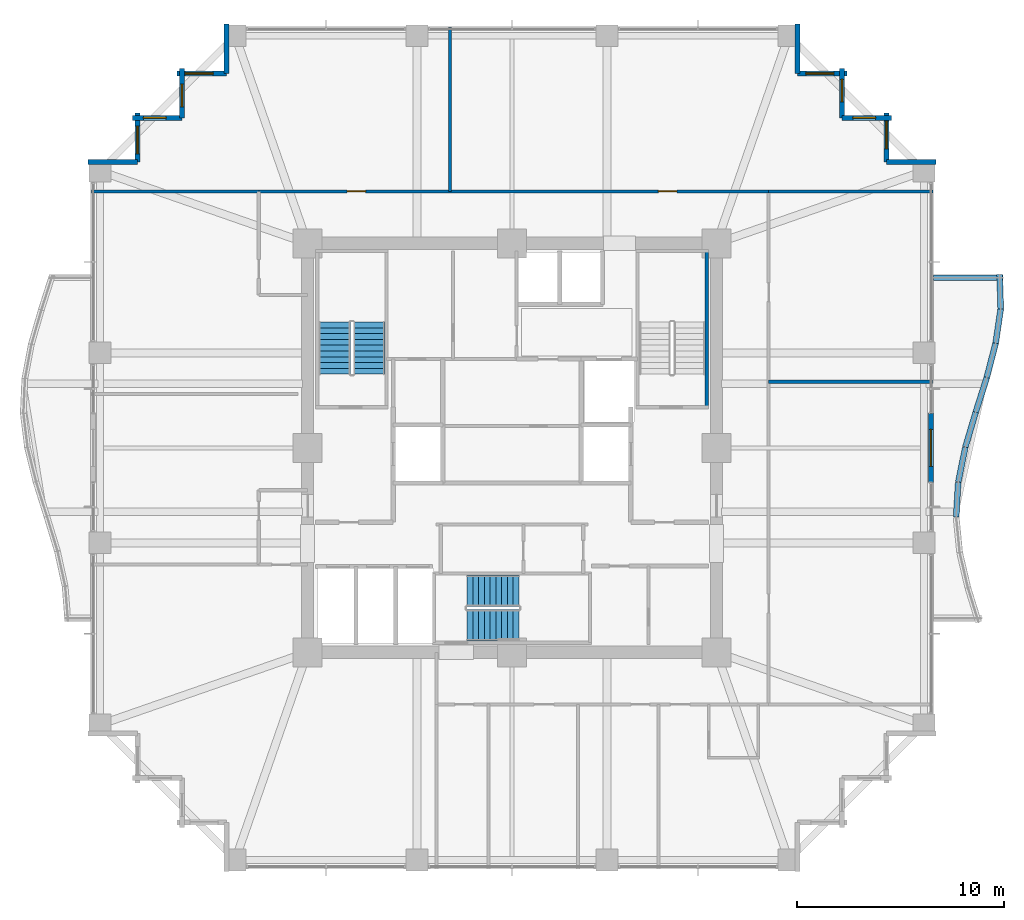
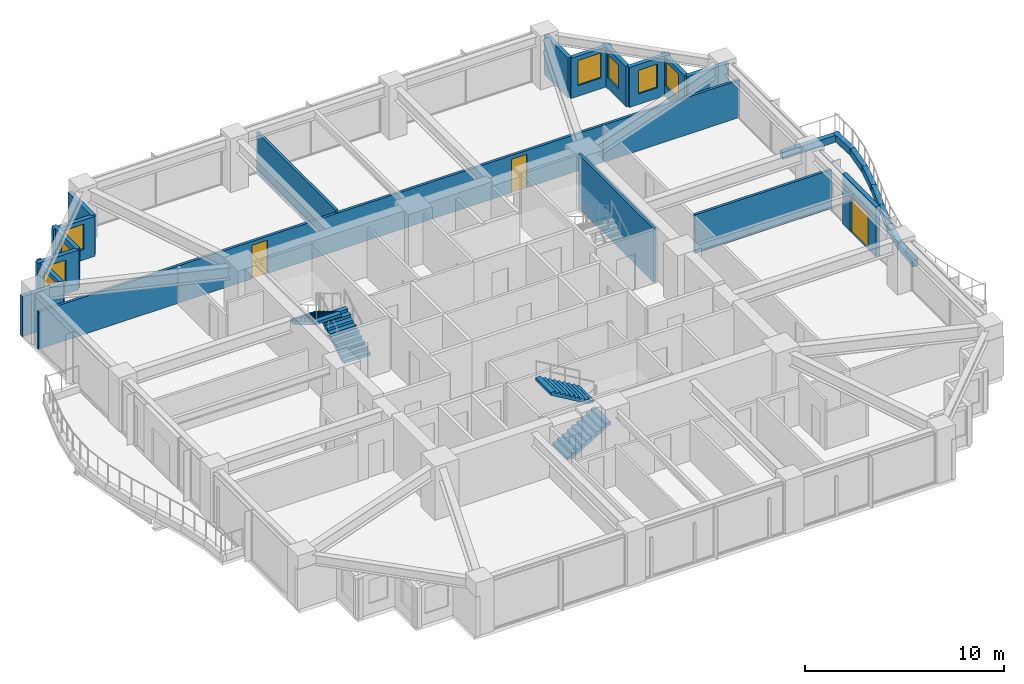
# One storey, part 33 of 36: 27 walls, 8 windows, 4 stair flights, 3 doors, 11 openings, 2 elements without a shape of their own.
"""IFC4 building model written with IfcOpenShell, lengths in metres."""

from ifc_helpers import new_model, si_unit, direction, frame, frame_2d, origin, place, context, subcontext, project, spatial, polyline, rectangle, outline, extrude, material, layer, layer_set, type_object, element, fill, aggregate, save


model = new_model("IFC4")

# Units and contexts
model_context = context("Model", 3, precision=1e-05, world=origin(), true_north=direction((0.0, 1.0)))
body_context = subcontext(model_context, "Body", "Model", "MODEL_VIEW")
ifc_project = project(units=[si_unit("LENGTHUNIT", "METRE"), si_unit("AREAUNIT", "SQUARE_METRE"), si_unit("VOLUMEUNIT", "CUBIC_METRE"), si_unit("PLANEANGLEUNIT", "RADIAN"), si_unit("MASSUNIT", "GRAM", prefix="KILO")], contexts=[model_context])

# Site, building, storey
site_placement = place(None, origin())
site = spatial("IfcSite", under=ifc_project, at=site_placement, CompositionType="ELEMENT")
building_placement = place(site_placement, origin())
building = spatial("IfcBuilding", under=site, at=building_placement, Name="Kolvaren Belvedere", CompositionType="ELEMENT")
storey_placement = place(building_placement, frame((0.0, 0.0, 92.0)))
storey = spatial("IfcBuildingStorey", under=building, at=storey_placement, Name="L26", CompositionType="ELEMENT", Elevation=92.0)

# Wall
ifc_material_1 = material(Name="Concrete C50/60", Category="concrete")
ifc_layer_1 = layer(ifc_material_1, 0.159912109375)
ifc_layer_set_1 = layer_set([ifc_layer_1], Name="Concrete C50/60")
wall_type_1 = type_object("IfcWallType", Name="CW-STAIR-160", PredefinedType="SHEAR", material=ifc_layer_set_1)
wall_1_placement = place(storey_placement, frame((9.429931640625, 1.969970703125, 0.0), z_axis=(0.0, 0.0, 1.0), x_axis=(0.0, 1.0, 0.0)))
element("IfcWall", 1, at=wall_1_placement, inside=storey, type_object=wall_type_1, Name="L26 Stair ST-2 East Shear Wall", PredefinedType="SHEAR", context=body_context, shape_type="SweptSolid", body=[
    extrude(rectangle(XDim=7.56005859375, YDim=0.159912109375, at=frame_2d((3.780029296875, 0.0))), origin(), (0.0, 0.0, 1.0), 3.300048828125),
])

# Wall, openings, doors
ifc_material_2 = material(Name="Gypsum fire-rated partition assembly", Category="gypsum")
ifc_layer_2 = layer(ifc_material_2, 0.14990234375)
ifc_layer_set_2 = layer_set([ifc_layer_2], Name="Gypsum fire-rated partition assembly")
wall_type_2 = type_object("IfcWallType", Name="WL-CORR-150", PredefinedType="PARTITIONING", material=ifc_layer_set_2)
wall_2_placement = place(storey_placement, frame((-12.260009765625, 12.419921875, 0.0), z_axis=(0.0, 0.0, 1.0), x_axis=(1.0, 0.0, 0.0)))
wall_2 = element("IfcWall", 2, at=wall_2_placement, inside=storey, type_object=wall_type_2, Name="L26 North Corridor Wall", PredefinedType="PARTITIONING", context=body_context, shape_type="SweptSolid", body=[
    extrude(rectangle(XDim=24.679931640625, YDim=0.14990234375, at=frame_2d((12.33984375, 0.0))), origin(), (0.0, 0.0, 1.0), 2.2919921875),
])
opening_1_placement = place(wall_2_placement, frame((4.27490234375, 0.0, 0.0)))
opening_1 = element("IfcOpeningElement", 3, at=opening_1_placement, cuts=wall_2, Name="Opening D-INT90", PredefinedType="OPENING", context=body_context, shape_type="SweptSolid", body=[
    extrude(rectangle(XDim=0.89990234375, YDim=2.06005859375, at=frame_2d((0.449951171875, 1.030029296875))), frame((0.0, 0.0849609375, 0.0), z_axis=(0.0, -1.0, 0.0), x_axis=(1.0, 0.0, 0.0)), (0.0, 0.0, 1.0), 0.169921875),
])
opening_2_placement = place(wall_2_placement, frame((19.344970703125, 0.0, 0.0)))
opening_2 = element("IfcOpeningElement", 4, at=opening_2_placement, cuts=wall_2, Name="Opening D-INT90", PredefinedType="OPENING", context=body_context, shape_type="SweptSolid", body=[
    extrude(rectangle(XDim=0.89990234375, YDim=2.06005859375, at=frame_2d((0.449951171875, 1.030029296875))), frame((0.0, 0.0849609375, 0.0), z_axis=(0.0, -1.0, 0.0), x_axis=(1.0, 0.0, 0.0)), (0.0, 0.0, 1.0), 0.169921875),
])
ifc_material_3 = material(Name="Stained Pacific white oak", Category="timber")
door_type_1 = type_object("IfcDoorType", Name="DR-INT-900", OperationType="NOTDEFINED", PredefinedType="DOOR", material=ifc_material_3)
door_1_placement = place(opening_1_placement, origin())
door_1 = element("IfcDoor", 5, at=door_1_placement, inside=storey, type_object=door_type_1, Name="L26 Lounge 2601 Door", OperationType="SINGLE_SWING_RIGHT", OverallHeight=2.06005859375, OverallWidth=0.89990234375, PredefinedType="DOOR", context=body_context, shape_type="SweptSolid", body=[
    extrude(rectangle(XDim=0.89990234375, YDim=2.06005859375, at=frame_2d((0.449951171875, 1.030029296875))), frame((0.0, 0.02490234375, 0.0), z_axis=(0.0, -1.0, 0.0), x_axis=(1.0, 0.0, 0.0)), (0.0, 0.0, 1.0), 0.050048828125),
])
fill(opening_1, door_1)
door_2_placement = place(opening_2_placement, origin())
door_2 = element("IfcDoor", 6, at=door_2_placement, inside=storey, type_object=door_type_1, Name="L26 Lounge 2602 Door", OperationType="SINGLE_SWING_LEFT", OverallHeight=2.06005859375, OverallWidth=0.89990234375, PredefinedType="DOOR", context=body_context, shape_type="SweptSolid", body=[
    extrude(rectangle(XDim=0.89990234375, YDim=2.06005859375, at=frame_2d((0.449951171875, 1.030029296875))), frame((0.0, 0.02490234375, 0.0), z_axis=(0.0, -1.0, 0.0), x_axis=(1.0, 0.0, 0.0)), (0.0, 0.0, 1.0), 0.050048828125),
])
fill(opening_2, door_2)

# Wall, opening, door
ifc_material_4 = material(Name="Insulated pale-metal facade wall assembly", Category="aluminium")
ifc_layer_3 = layer(ifc_material_4, 0.239990234375)
ifc_layer_set_3 = layer_set([ifc_layer_3], Name="Insulated pale-metal facade wall assembly")
wall_type_3 = type_object("IfcWallType", Name="WL-EXT-240", PredefinedType="STANDARD", material=ifc_layer_set_3)
wall_3_placement = place(storey_placement, frame((20.280029296875, 1.679931640625, 0.0), z_axis=(0.0, 0.0, 1.0), x_axis=(0.0, -1.0, 0.0)))
wall_3 = element("IfcWall", 7, at=wall_3_placement, inside=storey, type_object=wall_type_3, Name="L26 East Terrace Portal Wall", PredefinedType="STANDARD", context=body_context, shape_type="SweptSolid", body=[
    extrude(rectangle(XDim=3.35986328125, YDim=0.239990234375, at=frame_2d((1.679931640625, 0.0))), origin(), (0.0, 0.0, 1.0), 3.080078125),
])
opening_3_placement = place(wall_3_placement, frame((0.780029296875, 0.0, 0.0)))
opening_3 = element("IfcOpeningElement", 8, at=opening_3_placement, cuts=wall_3, Name="Opening DB-1800", PredefinedType="OPENING", context=body_context, shape_type="SweptSolid", body=[
    extrude(rectangle(XDim=1.800048828125, YDim=2.199951171875, at=frame_2d((0.89990234375, 1.10009765625))), frame((0.0, 0.1298828125, 0.0), z_axis=(0.0, -1.0, 0.0), x_axis=(1.0, 0.0, 0.0)), (0.0, 0.0, 1.0), 0.260009765625),
])
ifc_material_5 = material(Name="Thermally broken pale-metal aluminium & low-iron glass", Category="aluminium")
door_type_2 = type_object("IfcDoorType", Name="DR-BAL-1800", OperationType="DOUBLE_DOOR_SLIDING", PredefinedType="DOOR", material=ifc_material_5)
door_3_placement = place(opening_3_placement, origin())
door_3 = element("IfcDoor", 9, at=door_3_placement, inside=storey, type_object=door_type_2, Name="L26 East Planted Terrace Sliding Door", OperationType="DOUBLE_DOOR_SLIDING", OverallHeight=2.199951171875, OverallWidth=1.800048828125, PredefinedType="DOOR", context=body_context, shape_type="SweptSolid", body=[
    extrude(rectangle(XDim=1.800048828125, YDim=2.199951171875, at=frame_2d((0.89990234375, 1.10009765625))), frame((0.0, 0.02490234375, 0.0), z_axis=(0.0, -1.0, 0.0), x_axis=(1.0, 0.0, 0.0)), (0.0, 0.0, 1.0), 0.050048828125),
])
fill(opening_3, door_3)

# Wall
wall_4_placement = place(storey_placement, frame((18.1298828125, 13.830078125, 0.0), z_axis=(0.0, 0.0, 1.0), x_axis=(1.0, 0.0, 0.0)))
element("IfcWall", 10, at=wall_4_placement, inside=storey, type_object=wall_type_3, Name="L26 Serrated Corner Facade Wall 9", PredefinedType="STANDARD", context=body_context, shape_type="SweptSolid", body=[
    extrude(rectangle(XDim=2.39013671875, YDim=0.239990234375, at=frame_2d((1.195068359375, 0.0))), origin(), (0.0, 0.0, 1.0), 2.458984375),
])

# Wall, opening, window
wall_5_placement = place(storey_placement, frame((18.1298828125, 16.219970703125, 0.0), z_axis=(0.0, 0.0, 1.0), x_axis=(0.0, -1.0, 0.0)))
wall_5 = element("IfcWall", 11, at=wall_5_placement, inside=storey, type_object=wall_type_3, Name="L26 Serrated Corner Facade Wall 10", PredefinedType="STANDARD", context=body_context, shape_type="SweptSolid", body=[
    extrude(rectangle(XDim=2.389892578125, YDim=0.239990234375, at=frame_2d((1.19482421875, 0.0))), origin(), (0.0, 0.0, 1.0), 2.458984375),
])
opening_4_placement = place(wall_5_placement, frame((0.39990234375, 0.0, 0.64990234375)))
opening_4 = element("IfcOpeningElement", 12, at=opening_4_placement, cuts=wall_5, Name="Opening W-1350", PredefinedType="OPENING", context=body_context, shape_type="SweptSolid", body=[
    extrude(rectangle(XDim=1.35009765625, YDim=1.550048828125, at=frame_2d((0.675048828125, 0.77490234375))), frame((0.0, 0.1298828125, 0.0), z_axis=(0.0, -1.0, 0.0), x_axis=(1.0, 0.0, 0.0)), (0.0, 0.0, 1.0), 0.260009765625),
])
ifc_material_6 = material(Name="Low-iron triple insulated glass", Category="glass")
window_type_1 = type_object("IfcWindowType", Name="WN-CORN-1350", PartitioningType="SINGLE_PANEL", PredefinedType="WINDOW", material=ifc_material_6)
window_1_placement = place(opening_4_placement, origin())
window_1 = element("IfcWindow", 13, at=window_1_placement, inside=storey, type_object=window_type_1, Name="L26 Serrated Corner Vision Window 10", OverallHeight=1.550048828125, OverallWidth=1.35009765625, PartitioningType="SINGLE_PANEL", PredefinedType="WINDOW", context=body_context, shape_type="SweptSolid", body=[
    extrude(rectangle(XDim=1.35009765625, YDim=1.550048828125, at=frame_2d((0.675048828125, 0.77490234375))), frame((0.0, 0.030029296875, 0.0), z_axis=(0.0, -1.0, 0.0), x_axis=(1.0, 0.0, 0.0)), (0.0, 0.0, 1.0), 0.06005859375),
])
fill(opening_4, window_1)

wall_6_placement = place(storey_placement, frame((15.97998046875, 15.97998046875, 0.0), z_axis=(0.0, 0.0, 1.0), x_axis=(1.0, 0.0, 0.0)))
wall_6 = element("IfcWall", 14, at=wall_6_placement, inside=storey, type_object=wall_type_3, Name="L26 Serrated Corner Facade Wall 11", PredefinedType="STANDARD", context=body_context, shape_type="SweptSolid", body=[
    extrude(rectangle(XDim=2.39013671875, YDim=0.239990234375, at=frame_2d((1.195068359375, 0.0))), origin(), (0.0, 0.0, 1.0), 2.458984375),
])
opening_5_placement = place(wall_6_placement, frame((0.52490234375, 0.0, 0.64990234375)))
opening_5 = element("IfcOpeningElement", 15, at=opening_5_placement, cuts=wall_6, Name="Opening W-1100", PredefinedType="OPENING", context=body_context, shape_type="SweptSolid", body=[
    extrude(rectangle(XDim=1.10009765625, YDim=1.449951171875, at=frame_2d((0.550048828125, 0.72509765625))), frame((0.0, 0.1298828125, 0.0), z_axis=(0.0, -1.0, 0.0), x_axis=(1.0, 0.0, 0.0)), (0.0, 0.0, 1.0), 0.260009765625),
])
ifc_material_7 = material(Name="Low-iron triple insulated glass", Category="glass")
window_type_2 = type_object("IfcWindowType", Name="WN-CORN-1100", PartitioningType="SINGLE_PANEL", PredefinedType="WINDOW", material=ifc_material_7)
window_2_placement = place(opening_5_placement, origin())
window_2 = element("IfcWindow", 16, at=window_2_placement, inside=storey, type_object=window_type_2, Name="L26 Serrated Corner Vision Window 11", OverallHeight=1.449951171875, OverallWidth=1.10009765625, PartitioningType="SINGLE_PANEL", PredefinedType="WINDOW", context=body_context, shape_type="SweptSolid", body=[
    extrude(rectangle(XDim=1.10009765625, YDim=1.449951171875, at=frame_2d((0.550048828125, 0.72509765625))), frame((0.0, 0.030029296875, 0.0), z_axis=(0.0, -1.0, 0.0), x_axis=(1.0, 0.0, 0.0)), (0.0, 0.0, 1.0), 0.06005859375),
])
fill(opening_5, window_2)

wall_7_placement = place(storey_placement, frame((15.97998046875, 18.3701171875, 0.0), z_axis=(0.0, 0.0, 1.0), x_axis=(0.0, -1.0, 0.0)))
wall_7 = element("IfcWall", 17, at=wall_7_placement, inside=storey, type_object=wall_type_3, Name="L26 Serrated Corner Facade Wall 12", PredefinedType="STANDARD", context=body_context, shape_type="SweptSolid", body=[
    extrude(rectangle(XDim=2.39013671875, YDim=0.239990234375, at=frame_2d((1.195068359375, 0.0))), origin(), (0.0, 0.0, 1.0), 2.458984375),
])
opening_6_placement = place(wall_7_placement, frame((0.52490234375, 0.0, 0.64990234375)))
opening_6 = element("IfcOpeningElement", 18, at=opening_6_placement, cuts=wall_7, Name="Opening W-1100", PredefinedType="OPENING", context=body_context, shape_type="SweptSolid", body=[
    extrude(rectangle(XDim=1.10009765625, YDim=1.449951171875, at=frame_2d((0.550048828125, 0.72509765625))), frame((0.0, 0.1298828125, 0.0), z_axis=(0.0, -1.0, 0.0), x_axis=(1.0, 0.0, 0.0)), (0.0, 0.0, 1.0), 0.260009765625),
])
window_3_placement = place(opening_6_placement, origin())
window_3 = element("IfcWindow", 19, at=window_3_placement, inside=storey, type_object=window_type_2, Name="L26 Serrated Corner Vision Window 12", OverallHeight=1.449951171875, OverallWidth=1.10009765625, PartitioningType="SINGLE_PANEL", PredefinedType="WINDOW", context=body_context, shape_type="SweptSolid", body=[
    extrude(rectangle(XDim=1.10009765625, YDim=1.449951171875, at=frame_2d((0.550048828125, 0.72509765625))), frame((0.0, 0.030029296875, 0.0), z_axis=(0.0, -1.0, 0.0), x_axis=(1.0, 0.0, 0.0)), (0.0, 0.0, 1.0), 0.06005859375),
])
fill(opening_6, window_3)

wall_8_placement = place(storey_placement, frame((13.830078125, 18.1298828125, 0.0), z_axis=(0.0, 0.0, 1.0), x_axis=(1.0, 0.0, 0.0)))
wall_8 = element("IfcWall", 20, at=wall_8_placement, inside=storey, type_object=wall_type_3, Name="L26 Serrated Corner Facade Wall 13", PredefinedType="STANDARD", context=body_context, shape_type="SweptSolid", body=[
    extrude(rectangle(XDim=2.389892578125, YDim=0.239990234375, at=frame_2d((1.19482421875, 0.0))), origin(), (0.0, 0.0, 1.0), 2.458984375),
])
opening_7_placement = place(wall_8_placement, frame((0.39990234375, 0.0, 0.64990234375)))
opening_7 = element("IfcOpeningElement", 21, at=opening_7_placement, cuts=wall_8, Name="Opening W-1350", PredefinedType="OPENING", context=body_context, shape_type="SweptSolid", body=[
    extrude(rectangle(XDim=1.35009765625, YDim=1.550048828125, at=frame_2d((0.675048828125, 0.77490234375))), frame((0.0, 0.1298828125, 0.0), z_axis=(0.0, -1.0, 0.0), x_axis=(1.0, 0.0, 0.0)), (0.0, 0.0, 1.0), 0.260009765625),
])
window_4_placement = place(opening_7_placement, origin())
window_4 = element("IfcWindow", 22, at=window_4_placement, inside=storey, type_object=window_type_1, Name="L26 Serrated Corner Vision Window 13", OverallHeight=1.550048828125, OverallWidth=1.35009765625, PartitioningType="SINGLE_PANEL", PredefinedType="WINDOW", context=body_context, shape_type="SweptSolid", body=[
    extrude(rectangle(XDim=1.35009765625, YDim=1.550048828125, at=frame_2d((0.675048828125, 0.77490234375))), frame((0.0, 0.030029296875, 0.0), z_axis=(0.0, -1.0, 0.0), x_axis=(1.0, 0.0, 0.0)), (0.0, 0.0, 1.0), 0.06005859375),
])
fill(opening_7, window_4)

# Walls
for number, where, z_axis, x_axis, name in (
    (23, (13.830078125, 20.52001953125, 0.0), (0.0, 0.0, 1.0), (0.0, -1.0, 0.0), "L26 Serrated Corner Facade Wall 14"),
    (24, (-13.830078125, 18.1298828125, 0.0), (0.0, 0.0, 1.0), (0.0, 1.0, 0.0), "L26 Serrated Corner Facade Wall 16"),
):
    element("IfcWall", number, at=place(storey_placement, frame(where, z_axis=z_axis, x_axis=x_axis)), inside=storey, type_object=wall_type_3, Name=name, PredefinedType="STANDARD", context=body_context, shape_type="SweptSolid", body=[
        extrude(rectangle(XDim=2.39013671875, YDim=0.239990234375, at=frame_2d((1.195068359375, 0.0))), origin(), (0.0, 0.0, 1.0), 2.458984375),
    ])

# Wall, opening, window
wall_9_placement = place(storey_placement, frame((-16.219970703125, 18.1298828125, 0.0), z_axis=(0.0, 0.0, 1.0), x_axis=(1.0, 0.0, 0.0)))
wall_9 = element("IfcWall", 25, at=wall_9_placement, inside=storey, type_object=wall_type_3, Name="L26 Serrated Corner Facade Wall 17", PredefinedType="STANDARD", context=body_context, shape_type="SweptSolid", body=[
    extrude(rectangle(XDim=2.389892578125, YDim=0.239990234375, at=frame_2d((1.19482421875, 0.0))), origin(), (0.0, 0.0, 1.0), 2.458984375),
])
opening_8_placement = place(wall_9_placement, frame((0.39990234375, 0.0, 0.64990234375)))
opening_8 = element("IfcOpeningElement", 26, at=opening_8_placement, cuts=wall_9, Name="Opening W-1350", PredefinedType="OPENING", context=body_context, shape_type="SweptSolid", body=[
    extrude(rectangle(XDim=1.35009765625, YDim=1.550048828125, at=frame_2d((0.675048828125, 0.77490234375))), frame((0.0, 0.1298828125, 0.0), z_axis=(0.0, -1.0, 0.0), x_axis=(1.0, 0.0, 0.0)), (0.0, 0.0, 1.0), 0.260009765625),
])
window_5_placement = place(opening_8_placement, origin())
window_5 = element("IfcWindow", 27, at=window_5_placement, inside=storey, type_object=window_type_1, Name="L26 Serrated Corner Vision Window 17", OverallHeight=1.550048828125, OverallWidth=1.35009765625, PartitioningType="SINGLE_PANEL", PredefinedType="WINDOW", context=body_context, shape_type="SweptSolid", body=[
    extrude(rectangle(XDim=1.35009765625, YDim=1.550048828125, at=frame_2d((0.675048828125, 0.77490234375))), frame((0.0, 0.030029296875, 0.0), z_axis=(0.0, -1.0, 0.0), x_axis=(1.0, 0.0, 0.0)), (0.0, 0.0, 1.0), 0.06005859375),
])
fill(opening_8, window_5)

wall_10_placement = place(storey_placement, frame((-15.97998046875, 15.97998046875, 0.0), z_axis=(0.0, 0.0, 1.0), x_axis=(0.0, 1.0, 0.0)))
wall_10 = element("IfcWall", 28, at=wall_10_placement, inside=storey, type_object=wall_type_3, Name="L26 Serrated Corner Facade Wall 18", PredefinedType="STANDARD", context=body_context, shape_type="SweptSolid", body=[
    extrude(rectangle(XDim=2.39013671875, YDim=0.239990234375, at=frame_2d((1.195068359375, 0.0))), origin(), (0.0, 0.0, 1.0), 2.458984375),
])
opening_9_placement = place(wall_10_placement, frame((0.52490234375, 0.0, 0.64990234375)))
opening_9 = element("IfcOpeningElement", 29, at=opening_9_placement, cuts=wall_10, Name="Opening W-1100", PredefinedType="OPENING", context=body_context, shape_type="SweptSolid", body=[
    extrude(rectangle(XDim=1.10009765625, YDim=1.449951171875, at=frame_2d((0.550048828125, 0.72509765625))), frame((0.0, 0.1298828125, 0.0), z_axis=(0.0, -1.0, 0.0), x_axis=(1.0, 0.0, 0.0)), (0.0, 0.0, 1.0), 0.260009765625),
])
window_6_placement = place(opening_9_placement, origin())
window_6 = element("IfcWindow", 30, at=window_6_placement, inside=storey, type_object=window_type_2, Name="L26 Serrated Corner Vision Window 18", OverallHeight=1.449951171875, OverallWidth=1.10009765625, PartitioningType="SINGLE_PANEL", PredefinedType="WINDOW", context=body_context, shape_type="SweptSolid", body=[
    extrude(rectangle(XDim=1.10009765625, YDim=1.449951171875, at=frame_2d((0.550048828125, 0.72509765625))), frame((0.0, 0.030029296875, 0.0), z_axis=(0.0, -1.0, 0.0), x_axis=(1.0, 0.0, 0.0)), (0.0, 0.0, 1.0), 0.06005859375),
])
fill(opening_9, window_6)

wall_11_placement = place(storey_placement, frame((-18.3701171875, 15.97998046875, 0.0), z_axis=(0.0, 0.0, 1.0), x_axis=(1.0, 0.0, 0.0)))
wall_11 = element("IfcWall", 31, at=wall_11_placement, inside=storey, type_object=wall_type_3, Name="L26 Serrated Corner Facade Wall 19", PredefinedType="STANDARD", context=body_context, shape_type="SweptSolid", body=[
    extrude(rectangle(XDim=2.39013671875, YDim=0.239990234375, at=frame_2d((1.195068359375, 0.0))), origin(), (0.0, 0.0, 1.0), 2.458984375),
])
opening_10_placement = place(wall_11_placement, frame((0.52490234375, 0.0, 0.64990234375)))
opening_10 = element("IfcOpeningElement", 32, at=opening_10_placement, cuts=wall_11, Name="Opening W-1100", PredefinedType="OPENING", context=body_context, shape_type="SweptSolid", body=[
    extrude(rectangle(XDim=1.10009765625, YDim=1.449951171875, at=frame_2d((0.550048828125, 0.72509765625))), frame((0.0, 0.1298828125, 0.0), z_axis=(0.0, -1.0, 0.0), x_axis=(1.0, 0.0, 0.0)), (0.0, 0.0, 1.0), 0.260009765625),
])
window_7_placement = place(opening_10_placement, origin())
window_7 = element("IfcWindow", 33, at=window_7_placement, inside=storey, type_object=window_type_2, Name="L26 Serrated Corner Vision Window 19", OverallHeight=1.449951171875, OverallWidth=1.10009765625, PartitioningType="SINGLE_PANEL", PredefinedType="WINDOW", context=body_context, shape_type="SweptSolid", body=[
    extrude(rectangle(XDim=1.10009765625, YDim=1.449951171875, at=frame_2d((0.550048828125, 0.72509765625))), frame((0.0, 0.030029296875, 0.0), z_axis=(0.0, -1.0, 0.0), x_axis=(1.0, 0.0, 0.0)), (0.0, 0.0, 1.0), 0.06005859375),
])
fill(opening_10, window_7)

wall_12_placement = place(storey_placement, frame((-18.1298828125, 13.830078125, 0.0), z_axis=(0.0, 0.0, 1.0), x_axis=(0.0, 1.0, 0.0)))
wall_12 = element("IfcWall", 34, at=wall_12_placement, inside=storey, type_object=wall_type_3, Name="L26 Serrated Corner Facade Wall 20", PredefinedType="STANDARD", context=body_context, shape_type="SweptSolid", body=[
    extrude(rectangle(XDim=2.389892578125, YDim=0.239990234375, at=frame_2d((1.19482421875, 0.0))), origin(), (0.0, 0.0, 1.0), 2.458984375),
])
opening_11_placement = place(wall_12_placement, frame((0.39990234375, 0.0, 0.64990234375)))
opening_11 = element("IfcOpeningElement", 35, at=opening_11_placement, cuts=wall_12, Name="Opening W-1350", PredefinedType="OPENING", context=body_context, shape_type="SweptSolid", body=[
    extrude(rectangle(XDim=1.35009765625, YDim=1.550048828125, at=frame_2d((0.675048828125, 0.77490234375))), frame((0.0, 0.1298828125, 0.0), z_axis=(0.0, -1.0, 0.0), x_axis=(1.0, 0.0, 0.0)), (0.0, 0.0, 1.0), 0.260009765625),
])
window_8_placement = place(opening_11_placement, origin())
window_8 = element("IfcWindow", 36, at=window_8_placement, inside=storey, type_object=window_type_1, Name="L26 Serrated Corner Vision Window 20", OverallHeight=1.550048828125, OverallWidth=1.35009765625, PartitioningType="SINGLE_PANEL", PredefinedType="WINDOW", context=body_context, shape_type="SweptSolid", body=[
    extrude(rectangle(XDim=1.35009765625, YDim=1.550048828125, at=frame_2d((0.675048828125, 0.77490234375))), frame((0.0, 0.030029296875, 0.0), z_axis=(0.0, -1.0, 0.0), x_axis=(1.0, 0.0, 0.0)), (0.0, 0.0, 1.0), 0.06005859375),
])
fill(opening_11, window_8)

# Walls
wall_13_placement = place(storey_placement, frame((-20.52001953125, 13.830078125, 0.0), z_axis=(0.0, 0.0, 1.0), x_axis=(1.0, 0.0, 0.0)))
element("IfcWall", 37, at=wall_13_placement, inside=storey, type_object=wall_type_3, Name="L26 Serrated Corner Facade Wall 21", PredefinedType="STANDARD", context=body_context, shape_type="SweptSolid", body=[
    extrude(rectangle(XDim=2.39013671875, YDim=0.239990234375, at=frame_2d((1.195068359375, 0.0))), origin(), (0.0, 0.0, 1.0), 2.458984375),
])
ifc_material_8 = material(Name="Gypsum acoustic partition assembly", Category="gypsum")
ifc_layer_4 = layer(ifc_material_8, 0.14990234375)
ifc_layer_set_4 = layer_set([ifc_layer_4], Name="Gypsum acoustic partition assembly")
wall_type_4 = type_object("IfcWallType", Name="WL-PART-150", PredefinedType="PARTITIONING", material=ifc_layer_set_4)
wall_14_placement = place(storey_placement, frame((-20.3798828125, 12.419921875, 0.0), z_axis=(0.0, 0.0, 1.0), x_axis=(1.0, 0.0, 0.0)))
element("IfcWall", 38, at=wall_14_placement, inside=storey, type_object=wall_type_4, Name="L26 Wing Divider PW-L26-QNW", PredefinedType="PARTITIONING", context=body_context, shape_type="SweptSolid", body=[
    extrude(rectangle(XDim=8.119873046875, YDim=0.14990234375, at=frame_2d((4.06005859375, 0.0))), origin(), (0.0, 0.0, 1.0), 2.2919921875),
])
wall_15_placement = place(storey_placement, frame((12.419921875, 12.419921875, 0.0), z_axis=(0.0, 0.0, 1.0), x_axis=(1.0, 0.0, 0.0)))
element("IfcWall", 39, at=wall_15_placement, inside=storey, type_object=wall_type_4, Name="L26 Wing Divider PW-L26-QNE", PredefinedType="PARTITIONING", context=body_context, shape_type="SweptSolid", body=[
    extrude(rectangle(XDim=7.9599609375, YDim=0.14990234375, at=frame_2d((3.97998046875, 0.0))), origin(), (0.0, 0.0, 1.0), 2.2919921875),
])
wall_16_placement = place(storey_placement, frame((-3.0, 12.419921875, 0.0), z_axis=(0.0, 0.0, 1.0), x_axis=(0.0, 1.0, 0.0)))
element("IfcWall", 40, at=wall_16_placement, inside=storey, type_object=wall_type_4, Name="L26 North Suite Demising Wall 1", PredefinedType="PARTITIONING", context=body_context, shape_type="SweptSolid", body=[
    extrude(rectangle(XDim=7.9599609375, YDim=0.14990234375, at=frame_2d((3.97998046875, 0.0))), origin(), (0.0, 0.0, 1.0), 2.448974609375),
])
wall_17_placement = place(storey_placement, frame((12.419921875, 3.199951171875, 0.0), z_axis=(0.0, 0.0, 1.0), x_axis=(1.0, 0.0, 0.0)))
element("IfcWall", 41, at=wall_17_placement, inside=storey, type_object=wall_type_4, Name="L26 East Suite Demising Wall 1", PredefinedType="PARTITIONING", context=body_context, shape_type="SweptSolid", body=[
    extrude(rectangle(XDim=7.9599609375, YDim=0.14990234375, at=frame_2d((3.97998046875, 0.0))), origin(), (0.0, 0.0, 1.0), 2.368896484375),
])
ifc_material_9 = material(Name="Precast concrete C40/50", Category="concrete")
ifc_layer_5 = layer(ifc_material_9, 0.300048828125)
ifc_layer_set_5 = layer_set([ifc_layer_5], Name="Precast concrete C40/50")
wall_type_5 = type_object("IfcWallType", Name="WL-PLANTER-300", PredefinedType="PARAPET", material=ifc_layer_set_5)
wall_18_placement = place(storey_placement, frame((21.50244140625, -3.350341796875, -0.0400390625), z_axis=(0.0, 0.0, 1.0), x_axis=(0.059767979379, 0.998212296378, 0.0)))
element("IfcWall", 42, at=wall_18_placement, inside=storey, type_object=wall_type_5, Name="L26 Precast Structural Planter Wall BAL-E-4", PredefinedType="PARAPET", context=body_context, shape_type="SweptSolid", body=[
    extrude(rectangle(XDim=1.682861328125, YDim=0.280029296875, at=frame_2d((0.84130859375, 0.0))), origin(), (0.0, 0.0, 1.0), 0.419921875),
])
wall_19_placement = place(storey_placement, frame((21.60595703125, -1.64794921875, -0.0400390625), z_axis=(0.0, 0.0, 1.0), x_axis=(0.199784246163, 0.979839912937, 0.0)))
element("IfcWall", 43, at=wall_19_placement, inside=storey, type_object=wall_type_5, Name="L26 Precast Structural Planter Wall BAL-E-5", PredefinedType="PARAPET", context=body_context, shape_type="SweptSolid", body=[
    extrude(rectangle(XDim=1.714599609375, YDim=0.280029296875, at=frame_2d((0.857421875, 0.0))), origin(), (0.0, 0.0, 1.0), 0.419921875),
])
wall_20_placement = place(storey_placement, frame((21.951904296875, 0.045654296875, -0.0400390625), z_axis=(0.0, 0.0, 1.0), x_axis=(0.284880325779, 0.95856309129, 0.0)))
element("IfcWall", 44, at=wall_20_placement, inside=storey, type_object=wall_type_5, Name="L26 Precast Structural Planter Wall BAL-E-6", PredefinedType="PARAPET", context=body_context, shape_type="SweptSolid", body=[
    extrude(rectangle(XDim=1.75244140625, YDim=0.280029296875, at=frame_2d((0.876220703125, 0.0))), origin(), (0.0, 0.0, 1.0), 0.419921875),
])
wall_21_placement = place(storey_placement, frame((22.4521484375, 1.728515625, -0.0400390625), z_axis=(0.0, 0.0, 1.0), x_axis=(0.302397356111, 0.953181954832, 0.0)))
element("IfcWall", 45, at=wall_21_placement, inside=storey, type_object=wall_type_5, Name="L26 Precast Structural Planter Wall BAL-E-7", PredefinedType="PARAPET", context=body_context, shape_type="SweptSolid", body=[
    extrude(rectangle(XDim=1.762451171875, YDim=0.280029296875, at=frame_2d((0.88134765625, 0.0))), origin(), (0.0, 0.0, 1.0), 0.419921875),
])
wall_22_placement = place(storey_placement, frame((22.982666015625, 3.400146484375, -0.0400390625), z_axis=(0.0, 0.0, 1.0), x_axis=(0.250439664624, 0.968132209145, 0.0)))
element("IfcWall", 46, at=wall_22_placement, inside=storey, type_object=wall_type_5, Name="L26 Precast Structural Planter Wall BAL-E-8", PredefinedType="PARAPET", context=body_context, shape_type="SweptSolid", body=[
    extrude(rectangle(XDim=1.7353515625, YDim=0.280029296875, at=frame_2d((0.86767578125, 0.0))), origin(), (0.0, 0.0, 1.0), 0.419921875),
])
wall_23_placement = place(storey_placement, frame((23.413818359375, 5.063232421875, -0.0400390625), z_axis=(0.0, 0.0, 1.0), x_axis=(0.145907826437, 0.98929818871, 0.0)))
element("IfcWall", 47, at=wall_23_placement, inside=storey, type_object=wall_type_5, Name="L26 Precast Structural Planter Wall BAL-E-9", PredefinedType="PARAPET", context=body_context, shape_type="SweptSolid", body=[
    extrude(rectangle(XDim=1.6982421875, YDim=0.280029296875, at=frame_2d((0.84912109375, 0.0))), origin(), (0.0, 0.0, 1.0), 0.419921875),
])
wall_24_placement = place(storey_placement, frame((23.66015625, 6.715087890625, -0.0400390625), z_axis=(0.0, 0.0, 1.0), x_axis=(-0.031520443874, 0.999503107358, 0.0)))
element("IfcWall", 48, at=wall_24_placement, inside=storey, type_object=wall_type_5, Name="L26 Precast Structural Planter Wall BAL-E-10", PredefinedType="PARAPET", context=body_context, shape_type="SweptSolid", body=[
    extrude(rectangle(XDim=1.6806640625, YDim=0.280029296875, at=frame_2d((0.84033203125, 0.0))), origin(), (0.0, 0.0, 1.0), 0.419921875),
])
wall_25_placement = place(storey_placement, frame((23.76708984375, 8.239990234375, -0.0400390625), z_axis=(0.0, 0.0, 1.0), x_axis=(-1.0, 0.0, 0.0)))
element("IfcWall", 49, at=wall_25_placement, inside=storey, type_object=wall_type_5, Name="L26 Precast Structural Planter Wall BAL-E-11", PredefinedType="PARAPET", context=body_context, shape_type="SweptSolid", body=[
    extrude(rectangle(XDim=3.3671875, YDim=0.280029296875, at=frame_2d((1.68359375, 0.0))), origin(), (0.0, 0.0, 1.0), 0.419921875),
])

# Stair, stair flights
ifc_material_10 = material(Name="Concrete C50/60", Category="concrete")
stair_type = type_object("IfcStairType", Name="ST-CORE-1520", PredefinedType="HALF_TURN_STAIR", material=ifc_material_10)
stair_1_placement = place(storey_placement, origin())
stair_1 = element("IfcStair", 50, at=stair_1_placement, inside=storey, type_object=stair_type, Name="L26 Protected Exit Stair ST-1", PredefinedType="HALF_TURN_STAIR")
ifc_material_11 = material(Name="Concrete C50/60", Category="concrete")
stair_flight_type = type_object("IfcStairFlightType", Name="SF-STR-1520", PredefinedType="STRAIGHT", material=ifc_material_11)
stair_flight_1_placement = place(storey_placement, frame((-6.919921875, 3.570068359375, 0.0), z_axis=(0.0, 0.0, 1.0), x_axis=(0.0, 1.0, 0.0)))
stair_flight_1 = element("IfcStairFlight", 51, at=stair_flight_1_placement, type_object=stair_flight_type, Name="ST-1 flight 1", NumberOfRisers=10, NumberOfTreads=9, PredefinedType="STRAIGHT", RiserHeight=0.165, TreadLength=0.28, context=body_context, shape_type="SweptSolid", body=[
    extrude(outline(polyline([(0.0, 0.0), (0.0, 0.1650390625), (0.280029296875, 0.1650390625), (0.280029296875, 0.330078125), (0.56005859375, 0.330078125), (0.56005859375, 0.4951171875), (0.840087890625, 0.4951171875), (0.840087890625, 0.659912109375), (1.1201171875, 0.659912109375), (1.1201171875, 0.824951171875), (1.39990234375, 0.824951171875), (1.39990234375, 0.989990234375), (1.679931640625, 0.989990234375), (1.679931640625, 1.155029296875), (1.9599609375, 1.155029296875), (1.9599609375, 1.320068359375), (2.239990234375, 1.320068359375), (2.239990234375, 1.485107421875), (2.52001953125, 1.485107421875), (2.52001953125, 1.64990234375), (2.52001953125, 1.31103515625), (0.295166015625, 0.0), (0.0, 0.0)])), frame((0.0, 0.760009765625, 0.0), z_axis=(0.0, -1.0, 0.0), x_axis=(1.0, 0.0, 0.0)), (0.0, 0.0, 1.0), 1.52001953125),
])
stair_flight_2_placement = place(storey_placement, frame((-8.590087890625, 6.090087890625, 1.64990234375), z_axis=(0.0, 0.0, 1.0), x_axis=(0.0, -1.0, 0.0)))
stair_flight_2 = element("IfcStairFlight", 52, at=stair_flight_2_placement, type_object=stair_flight_type, Name="ST-1 flight 2", NumberOfRisers=10, NumberOfTreads=9, PredefinedType="STRAIGHT", RiserHeight=0.165, TreadLength=0.28, context=body_context, shape_type="SweptSolid", body=[
    extrude(outline(polyline([(0.0, 0.0), (0.0, 0.1650390625), (0.280029296875, 0.1650390625), (0.280029296875, 0.330078125), (0.56005859375, 0.330078125), (0.56005859375, 0.4951171875), (0.840087890625, 0.4951171875), (0.840087890625, 0.659912109375), (1.1201171875, 0.659912109375), (1.1201171875, 0.824951171875), (1.39990234375, 0.824951171875), (1.39990234375, 0.989990234375), (1.679931640625, 0.989990234375), (1.679931640625, 1.155029296875), (1.9599609375, 1.155029296875), (1.9599609375, 1.320068359375), (2.239990234375, 1.320068359375), (2.239990234375, 1.485107421875), (2.52001953125, 1.485107421875), (2.52001953125, 1.64990234375), (2.52001953125, 1.31103515625), (0.295166015625, 0.0), (0.0, 0.0)])), frame((0.0, 0.760009765625, 0.0), z_axis=(0.0, -1.0, 0.0), x_axis=(1.0, 0.0, 0.0)), (0.0, 0.0, 1.0), 1.52001953125),
])
aggregate(stair_1, [stair_flight_1, stair_flight_2])

stair_2_placement = place(storey_placement, origin())
stair_2 = element("IfcStair", 53, at=stair_2_placement, inside=storey, type_object=stair_type, Name="L26 Protected Exit Stair ST-3", PredefinedType="HALF_TURN_STAIR")
stair_flight_3_placement = place(storey_placement, frame((-2.179931640625, -8.590087890625, 0.0), z_axis=(0.0, 0.0, 1.0), x_axis=(1.0, 0.0, 0.0)))
stair_flight_3 = element("IfcStairFlight", 54, at=stair_flight_3_placement, type_object=stair_flight_type, Name="ST-3 flight 1", NumberOfRisers=10, NumberOfTreads=9, PredefinedType="STRAIGHT", RiserHeight=0.165, TreadLength=0.28, context=body_context, shape_type="SweptSolid", body=[
    extrude(outline(polyline([(0.0, 0.0), (0.0, 0.1650390625), (0.280029296875, 0.1650390625), (0.280029296875, 0.330078125), (0.56005859375, 0.330078125), (0.56005859375, 0.4951171875), (0.840087890625, 0.4951171875), (0.840087890625, 0.659912109375), (1.1201171875, 0.659912109375), (1.1201171875, 0.824951171875), (1.39990234375, 0.824951171875), (1.39990234375, 0.989990234375), (1.679931640625, 0.989990234375), (1.679931640625, 1.155029296875), (1.9599609375, 1.155029296875), (1.9599609375, 1.320068359375), (2.239990234375, 1.320068359375), (2.239990234375, 1.485107421875), (2.52001953125, 1.485107421875), (2.52001953125, 1.64990234375), (2.52001953125, 1.31103515625), (0.295166015625, 0.0), (0.0, 0.0)])), frame((0.0, 0.760009765625, 0.0), z_axis=(0.0, -1.0, 0.0), x_axis=(1.0, 0.0, 0.0)), (0.0, 0.0, 1.0), 1.52001953125),
])
stair_flight_4_placement = place(storey_placement, frame((0.340087890625, -6.919921875, 1.64990234375), z_axis=(0.0, 0.0, 1.0), x_axis=(-1.0, 0.0, 0.0)))
stair_flight_4 = element("IfcStairFlight", 55, at=stair_flight_4_placement, type_object=stair_flight_type, Name="ST-3 flight 2", NumberOfRisers=10, NumberOfTreads=9, PredefinedType="STRAIGHT", RiserHeight=0.165, TreadLength=0.28, context=body_context, shape_type="SweptSolid", body=[
    extrude(outline(polyline([(0.0, 0.0), (0.0, 0.1650390625), (0.280029296875, 0.1650390625), (0.280029296875, 0.330078125), (0.56005859375, 0.330078125), (0.56005859375, 0.4951171875), (0.840087890625, 0.4951171875), (0.840087890625, 0.659912109375), (1.1201171875, 0.659912109375), (1.1201171875, 0.824951171875), (1.39990234375, 0.824951171875), (1.39990234375, 0.989990234375), (1.679931640625, 0.989990234375), (1.679931640625, 1.155029296875), (1.9599609375, 1.155029296875), (1.9599609375, 1.320068359375), (2.239990234375, 1.320068359375), (2.239990234375, 1.485107421875), (2.52001953125, 1.485107421875), (2.52001953125, 1.64990234375), (2.52001953125, 1.31103515625), (0.295166015625, 0.0), (0.0, 0.0)])), frame((0.0, 0.760009765625, 0.0), z_axis=(0.0, -1.0, 0.0), x_axis=(1.0, 0.0, 0.0)), (0.0, 0.0, 1.0), 1.52001953125),
])
aggregate(stair_2, [stair_flight_3, stair_flight_4])

save(model, "model.ifc")
